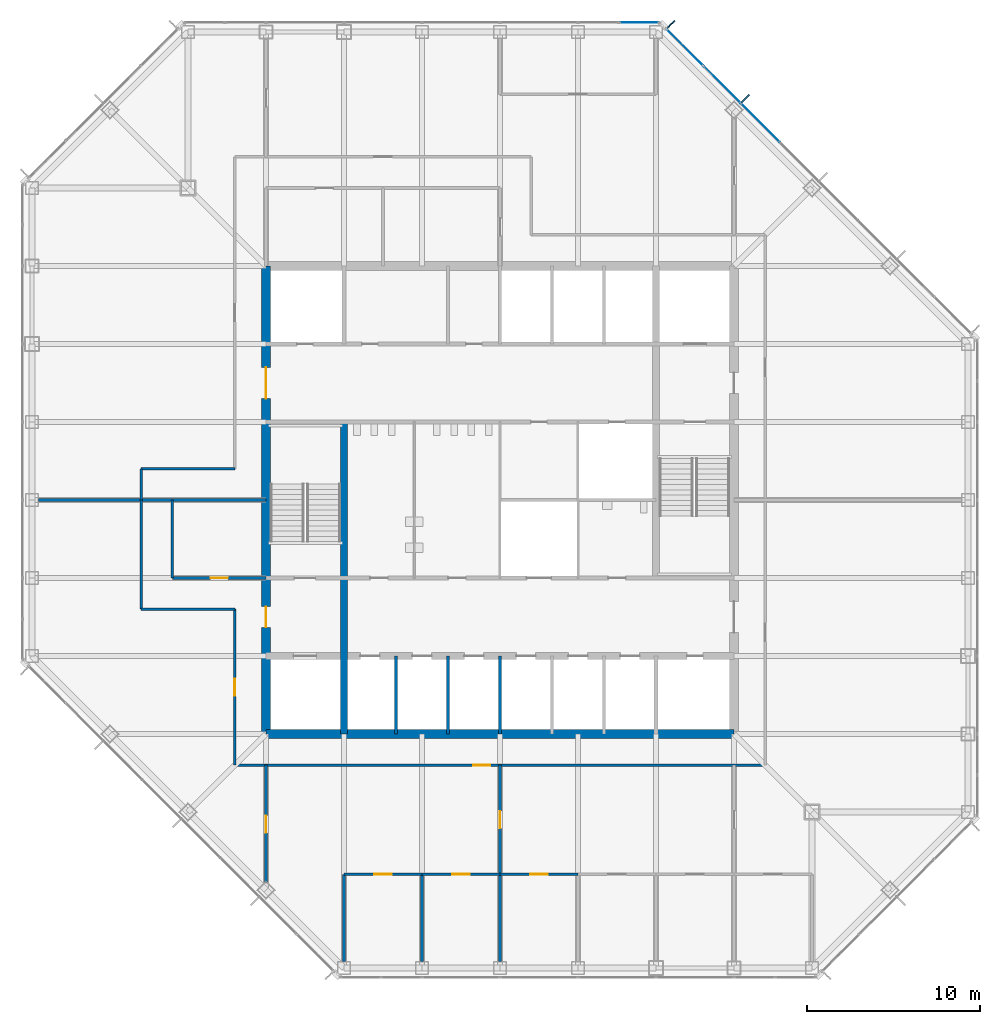
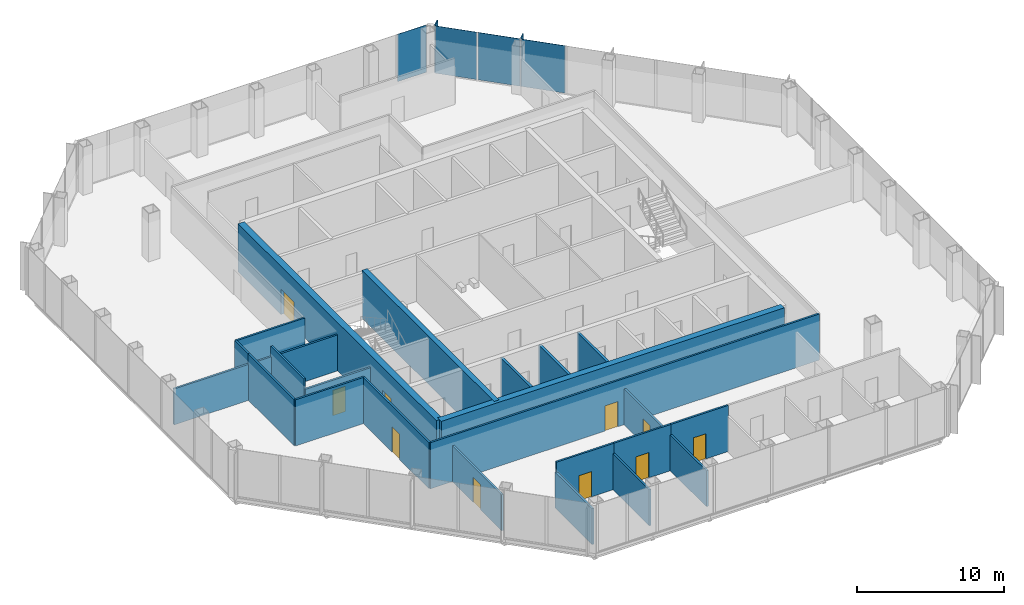
# One storey, part 8 of 12: 23 walls, 10 doors, 6 plates, 10 openings, 2 elements without a shape of their own.
"""IFC4 building model written with IfcOpenShell, lengths in metres."""

from ifc_helpers import new_model, si_unit, direction, frame, frame_2d, origin, origin_2d, place, context, subcontext, project, spatial, rectangle, extrude, material, layer, layer_set, type_object, element, fill, aggregate, save


model = new_model("IFC4")

# Units and contexts
model_context = context("Model", 3, precision=1e-05, world=origin(), true_north=direction((0.0, 1.0)))
body_context = subcontext(model_context, "Body", "Model", "MODEL_VIEW")
ifc_project = project(units=[si_unit("LENGTHUNIT", "METRE"), si_unit("AREAUNIT", "SQUARE_METRE"), si_unit("VOLUMEUNIT", "CUBIC_METRE"), si_unit("PLANEANGLEUNIT", "RADIAN"), si_unit("MASSUNIT", "GRAM", prefix="KILO")], contexts=[model_context])

# Site, building, storey
site_placement = place(None, origin())
site = spatial("IfcSite", under=ifc_project, at=site_placement, CompositionType="ELEMENT")
building_placement = place(site_placement, origin())
building = spatial("IfcBuilding", under=site, at=building_placement, Name="Corais Broadcast Tower", CompositionType="ELEMENT")
storey_placement = place(building_placement, frame((0.0, 0.0, 147.60009765625)))
storey = spatial("IfcBuildingStorey", under=building, at=storey_placement, Name="L33", CompositionType="ELEMENT", Elevation=147.60009765625)

# Curtain wall, plates
ifc_material_1 = material(Name="Aluminium and glass", Category="aluminium")
curtain_wall_type = type_object("IfcCurtainWallType", Name="Unitised fritted curtain wall CW2", PredefinedType="NOTDEFINED", material=ifc_material_1)
curtain_wall_1_placement = place(storey_placement, origin())
curtain_wall_1 = element("IfcCurtainWall", 1, at=curtain_wall_1_placement, inside=storey, type_object=curtain_wall_type, Name="CW2 curtain wall L33 5", PredefinedType="NOTDEFINED")
ifc_material_2 = material(Name="Ceramic-fritted laminated glass", Category="glass")
ifc_layer_1 = layer(ifc_material_2, 0.028076171875)
ifc_layer_set_1 = layer_set([ifc_layer_1], Name="Ceramic-fritted laminated glass")
plate_type_1 = type_object("IfcPlateType", Name="Fritted glass panel CW2", PredefinedType="CURTAIN_PANEL", material=ifc_layer_set_1)
plate_1_placement = place(storey_placement, frame((37.669677734375, 53.108154296875, 0.06494140625), z_axis=(0.0, 0.0, 1.0), x_axis=(0.707106781187, -0.707106781187, 0.0)))
plate_1 = element("IfcPlate", 2, at=plate_1_placement, type_object=plate_type_1, Name="CW2 panel 1", PredefinedType="CURTAIN_PANEL", context=body_context, shape_type="SweptSolid", body=[
    extrude(rectangle(XDim=2.9482421875, YDim=0.028076171875, at=origin_2d()), origin(), (0.0, 0.0, 1.0), 3.93505859375),
])
plate_2_placement = place(storey_placement, frame((42.013916015625, 48.763916015625, 0.06494140625), z_axis=(0.0, 0.0, 1.0), x_axis=(0.707106781187, -0.707106781187, 0.0)))
plate_2 = element("IfcPlate", 3, at=plate_2_placement, type_object=plate_type_1, Name="CW2 panel 3", PredefinedType="CURTAIN_PANEL", context=body_context, shape_type="SweptSolid", body=[
    extrude(rectangle(XDim=3.116943359375, YDim=0.028076171875, at=origin_2d()), origin(), (0.0, 0.0, 1.0), 3.93505859375),
])

# Curtain wall, plate
curtain_wall_2_placement = place(storey_placement, origin())
curtain_wall_2 = element("IfcCurtainWall", 4, at=curtain_wall_2_placement, inside=storey, type_object=curtain_wall_type, Name="CW2 curtain wall L33 4", PredefinedType="NOTDEFINED")
ifc_material_3 = material(Name="Clear laminated glass", Category="glass")
ifc_layer_2 = layer(ifc_material_3, 0.031982421875)
ifc_layer_set_2 = layer_set([ifc_layer_2], Name="Clear laminated glass")
plate_type_2 = type_object("IfcPlateType", Name="Operable glass panel CW2", PredefinedType="CURTAIN_PANEL", material=ifc_layer_set_2)
plate_3_placement = place(storey_placement, frame((35.029541015625, 54.550048828125, 0.06494140625), z_axis=(0.0, 0.0, 1.0), x_axis=(1.0, 0.0, 0.0)))
plate_3 = element("IfcPlate", 5, at=plate_3_placement, type_object=plate_type_2, Name="CW2 operable panel 8", PredefinedType="CURTAIN_PANEL", context=body_context, shape_type="SweptSolid", body=[
    extrude(rectangle(XDim=2.266357421875, YDim=0.031982421875, at=origin_2d()), origin(), (0.0, 0.0, 1.0), 3.93505859375),
])
aggregate(curtain_wall_2, [plate_3])

# Plate
plate_4_placement = place(storey_placement, frame((39.81201171875, 50.9658203125, 0.06494140625), z_axis=(0.0, 0.0, 1.0), x_axis=(0.707106781187, -0.707106781187, 0.0)))
plate_4 = element("IfcPlate", 6, at=plate_4_placement, type_object=plate_type_2, Name="CW2 operable panel 2", PredefinedType="CURTAIN_PANEL", context=body_context, shape_type="SweptSolid", body=[
    extrude(rectangle(XDim=2.98095703125, YDim=0.031982421875, at=origin_2d()), origin(), (0.0, 0.0, 1.0), 3.93505859375),
])

aggregate(curtain_wall_1, [plate_1, plate_4, plate_2])

# Plates
ifc_material_4 = material(Name="Granite stone cladding", Category="masonry")
ifc_layer_3 = layer(ifc_material_4, 0.080078125)
ifc_layer_set_3 = layer_set([ifc_layer_3], Name="Granite stone cladding")
plate_type_3 = type_object("IfcPlateType", Name="Stone screen fin 80x600", PredefinedType="USERDEFINED", material=ifc_layer_set_3)
for number, where, z_axis, x_axis, name in (
    (7, (36.8779296875, 54.447021484375, 0.0), (0.0, 0.0, 1.0), (0.707106781187, -0.707106781187, 0.0), "SF1 stone screen fin L33"),
    (8, (41.16259765625, 50.16259765625, 0.0), (0.0, 0.0, 1.0), (0.707106781187, -0.707106781187, 0.0), "SF1 stone screen fin L33"),
):
    element("IfcPlate", number, at=place(storey_placement, frame(where, z_axis=z_axis, x_axis=x_axis)), inside=storey, type_object=plate_type_3, Name=name, ObjectType="STONE SCREEN FIN", PredefinedType="USERDEFINED", context=body_context, shape_type="SweptSolid", body=[
        extrude(rectangle(XDim=0.080078125, YDim=0.60009765625, at=origin_2d()), origin(), (0.0, 0.0, 1.0), 4.0),
    ])

# Walls
ifc_material_5 = material(Name="Concrete C50/60", Category="concrete")
ifc_layer_4 = layer(ifc_material_5, 0.39990234375)
ifc_layer_set_4 = layer_set([ifc_layer_4], Name="Concrete C50/60")
wall_type_1 = type_object("IfcWallType", Name="Core wall 400", PredefinedType="SHEAR", material=ifc_layer_set_4)
wall_1_placement = place(storey_placement, frame((18.0, 13.5, 0.0), z_axis=(0.0, 0.0, 1.0), x_axis=(0.0, 1.0, 0.0)))
element("IfcWall", 9, at=wall_1_placement, inside=storey, type_object=wall_type_1, Name="CR400 core wall X18A L33", PredefinedType="SHEAR", context=body_context, shape_type="SweptSolid", body=[
    extrude(rectangle(XDim=18.0, YDim=0.39990234375, at=frame_2d((9.0, 0.0))), origin(), (0.0, 0.0, 1.0), 4.0),
])
ifc_material_6 = material(Name="Concrete C50/60", Category="concrete")
ifc_layer_5 = layer(ifc_material_6, 0.5)
ifc_layer_set_5 = layer_set([ifc_layer_5], Name="Concrete C50/60")
wall_type_2 = type_object("IfcWallType", Name="Core wall 500", PredefinedType="SHEAR", material=ifc_layer_set_5)
wall_2_placement = place(storey_placement, frame((13.5, 13.5, 0.0), z_axis=(0.0, 0.0, 1.0), x_axis=(1.0, 0.0, 0.0)))
element("IfcWall", 10, at=wall_2_placement, inside=storey, type_object=wall_type_2, Name="CR500 core wall S L33", PredefinedType="SHEAR", context=body_context, shape_type="SweptSolid", body=[
    extrude(rectangle(XDim=27.0, YDim=0.5, at=frame_2d((13.5, 0.0))), origin(), (0.0, 0.0, 1.0), 4.0),
])

# Wall, openings, doors
wall_3_placement = place(storey_placement, frame((13.5, 40.5, 0.0), z_axis=(0.0, 0.0, 1.0), x_axis=(0.0, -1.0, 0.0)))
wall_3 = element("IfcWall", 11, at=wall_3_placement, inside=storey, type_object=wall_type_2, Name="CR500 core wall W L33", PredefinedType="SHEAR", context=body_context, shape_type="SweptSolid", body=[
    extrude(rectangle(XDim=27.0, YDim=0.5, at=frame_2d((13.5, 0.0))), origin(), (0.0, 0.0, 1.0), 4.0),
])
opening_1_placement = place(wall_3_placement, frame((19.64990234375, 0.0, 0.0)))
opening_1 = element("IfcOpeningElement", 12, at=opening_1_placement, cuts=wall_3, Name="Opening FD1", PredefinedType="OPENING", context=body_context, shape_type="SweptSolid", body=[
    extrude(rectangle(XDim=1.199951171875, YDim=2.10009765625, at=frame_2d((0.60009765625, 1.050048828125))), frame((0.0, 0.260009765625, 0.0), z_axis=(0.0, -1.0, 0.0), x_axis=(1.0, 0.0, 0.0)), (0.0, 0.0, 1.0), 0.52001953125),
])
opening_2_placement = place(wall_3_placement, frame((5.85009765625, 0.0, 0.0)))
opening_2 = element("IfcOpeningElement", 13, at=opening_2_placement, cuts=wall_3, Name="Opening FD2", PredefinedType="OPENING", context=body_context, shape_type="SweptSolid", body=[
    extrude(rectangle(XDim=1.800048828125, YDim=2.10009765625, at=frame_2d((0.89990234375, 1.050048828125))), frame((0.0, 0.260009765625, 0.0), z_axis=(0.0, -1.0, 0.0), x_axis=(1.0, 0.0, 0.0)), (0.0, 0.0, 1.0), 0.52001953125),
])
ifc_material_7 = material(Name="Steel fire door", Category="steel")
door_type_1 = type_object("IfcDoorType", Name="Fire door 1200x2100", OperationType="SINGLE_SWING_LEFT", PredefinedType="DOOR", material=ifc_material_7)
door_1_placement = place(opening_1_placement, origin())
door_1 = element("IfcDoor", 14, at=door_1_placement, inside=storey, type_object=door_type_1, Name="FD1 fire lobby A door L33", OperationType="SINGLE_SWING_RIGHT", OverallHeight=2.10009765625, OverallWidth=1.199951171875, PredefinedType="DOOR", context=body_context, shape_type="SweptSolid", body=[
    extrude(rectangle(XDim=1.199951171875, YDim=2.10009765625, at=frame_2d((0.60009765625, 1.050048828125))), frame((0.0, 0.02490234375, 0.0), z_axis=(0.0, -1.0, 0.0), x_axis=(1.0, 0.0, 0.0)), (0.0, 0.0, 1.0), 0.050048828125),
])
fill(opening_1, door_1)
ifc_material_8 = material(Name="Steel fire door", Category="steel")
door_type_2 = type_object("IfcDoorType", Name="Fire door pair 1800x2100", OperationType="DOUBLE_DOOR_SINGLE_SWING", PredefinedType="DOOR", material=ifc_material_8)
door_2_placement = place(opening_2_placement, origin())
door_2 = element("IfcDoor", 15, at=door_2_placement, inside=storey, type_object=door_type_2, Name="FD2 lift lobby door L33", OperationType="SINGLE_SWING_LEFT", OverallHeight=2.10009765625, OverallWidth=1.800048828125, PredefinedType="DOOR", context=body_context, shape_type="SweptSolid", body=[
    extrude(rectangle(XDim=1.800048828125, YDim=2.10009765625, at=frame_2d((0.89990234375, 1.050048828125))), frame((0.0, 0.02490234375, 0.0), z_axis=(0.0, -1.0, 0.0), x_axis=(1.0, 0.0, 0.0)), (0.0, 0.0, 1.0), 0.050048828125),
])
fill(opening_2, door_2)

# Walls
ifc_material_9 = material(Name="Two layers of fire-rated gypsum board each side on steel studs", Category="steel")
ifc_layer_6 = layer(ifc_material_9, 0.14990234375)
ifc_layer_set_6 = layer_set([ifc_layer_6], Name="Two layers of fire-rated gypsum board each side on steel studs")
wall_type_3 = type_object("IfcWallType", Name="Fire-rated partition 150 EI 60", PredefinedType="PARTITIONING", material=ifc_layer_set_6)
wall_4_placement = place(storey_placement, frame((0.385009765625, 27.0, 0.0), z_axis=(0.0, 0.0, 1.0), x_axis=(1.0, 0.0, 0.0)))
element("IfcWall", 16, at=wall_4_placement, inside=storey, type_object=wall_type_3, Name="IW7 tenancy wall L33", PredefinedType="PARTITIONING", context=body_context, shape_type="SweptSolid", body=[
    extrude(rectangle(XDim=13.114990234375, YDim=0.14990234375, at=frame_2d((6.5576171875, 0.0))), origin(), (0.0, 0.0, 1.0), 2.989013671875),
])
ifc_material_10 = material(Name="Gypsum board on steel studs", Category="steel")
ifc_layer_7 = layer(ifc_material_10, 0.14990234375)
ifc_layer_set_7 = layer_set([ifc_layer_7], Name="Gypsum board on steel studs")
wall_type_4 = type_object("IfcWallType", Name="Partition 150", PredefinedType="PARTITIONING", material=ifc_layer_set_7)
wall_5_placement = place(storey_placement, frame((11.699951171875, 28.800048828125, 0.0), z_axis=(0.0, 0.0, 1.0), x_axis=(-1.0, 0.0, 0.0)))
element("IfcWall", 17, at=wall_5_placement, inside=storey, type_object=wall_type_4, Name="IW3 corridor wall L33", PredefinedType="PARTITIONING", context=body_context, shape_type="SweptSolid", body=[
    extrude(rectangle(XDim=5.39990234375, YDim=0.14990234375, at=frame_2d((2.699951171875, 0.0))), origin(), (0.0, 0.0, 1.0), 3.83984375),
])
wall_6_placement = place(storey_placement, frame((6.300048828125, 28.800048828125, 0.0), z_axis=(0.0, 0.0, 1.0), x_axis=(0.0, -1.0, 0.0)))
element("IfcWall", 18, at=wall_6_placement, inside=storey, type_object=wall_type_4, Name="IW3 corridor wall L33", PredefinedType="PARTITIONING", context=body_context, shape_type="SweptSolid", body=[
    extrude(rectangle(XDim=1.799560546875, YDim=0.14990234375, at=frame_2d((0.89990234375, 0.0))), origin(), (0.0, 0.0, 1.0), 3.83984375),
])

# Wall, opening, door
wall_7_placement = place(storey_placement, frame((11.699951171875, 11.699951171875, 0.0), z_axis=(0.0, 0.0, 1.0), x_axis=(1.0, 0.0, 0.0)))
wall_7 = element("IfcWall", 19, at=wall_7_placement, inside=storey, type_object=wall_type_4, Name="IW3 corridor wall L33", PredefinedType="PARTITIONING", context=body_context, shape_type="SweptSolid", body=[
    extrude(rectangle(XDim=30.60009765625, YDim=0.14990234375, at=frame_2d((15.300048828125, 0.0))), origin(), (0.0, 0.0, 1.0), 3.83984375),
])
opening_3_placement = place(wall_7_placement, frame((13.75, 0.0, 0.0)))
opening_3 = element("IfcOpeningElement", 20, at=opening_3_placement, cuts=wall_7, Name="Opening D1", PredefinedType="OPENING", context=body_context, shape_type="SweptSolid", body=[
    extrude(rectangle(XDim=1.0, YDim=2.10009765625, at=frame_2d((0.5, 1.050048828125))), frame((0.0, 0.0849609375, 0.0), z_axis=(0.0, -1.0, 0.0), x_axis=(1.0, 0.0, 0.0)), (0.0, 0.0, 1.0), 0.169921875),
])
ifc_material_11 = material(Name="Timber door", Category="wood")
door_type_3 = type_object("IfcDoorType", Name="Single door 1000x2100", OperationType="SINGLE_SWING_LEFT", PredefinedType="DOOR", material=ifc_material_11)
door_3_placement = place(opening_3_placement, origin())
door_3 = element("IfcDoor", 21, at=door_3_placement, inside=storey, type_object=door_type_3, Name="D1 workplace door L33", OperationType="SINGLE_SWING_LEFT", OverallHeight=2.10009765625, OverallWidth=1.0, PredefinedType="DOOR", context=body_context, shape_type="SweptSolid", body=[
    extrude(rectangle(XDim=1.0, YDim=2.10009765625, at=frame_2d((0.5, 1.050048828125))), frame((0.0, 0.02490234375, 0.0), z_axis=(0.0, -1.0, 0.0), x_axis=(1.0, 0.0, 0.0)), (0.0, 0.0, 1.0), 0.050048828125),
])
fill(opening_3, door_3)

wall_8_placement = place(storey_placement, frame((11.699951171875, 20.699951171875, 0.0), z_axis=(0.0, 0.0, 1.0), x_axis=(0.0, -1.0, 0.0)))
wall_8 = element("IfcWall", 22, at=wall_8_placement, inside=storey, type_object=wall_type_4, Name="IW3 corridor wall L33", PredefinedType="PARTITIONING", context=body_context, shape_type="SweptSolid", body=[
    extrude(rectangle(XDim=9.0, YDim=0.14990234375, at=frame_2d((4.5, 0.0))), origin(), (0.0, 0.0, 1.0), 3.83984375),
])
opening_4_placement = place(wall_8_placement, frame((4.0, 0.0, 0.0)))
opening_4 = element("IfcOpeningElement", 23, at=opening_4_placement, cuts=wall_8, Name="Opening D1", PredefinedType="OPENING", context=body_context, shape_type="SweptSolid", body=[
    extrude(rectangle(XDim=1.0, YDim=2.10009765625, at=frame_2d((0.5, 1.050048828125))), frame((0.0, 0.0849609375, 0.0), z_axis=(0.0, -1.0, 0.0), x_axis=(1.0, 0.0, 0.0)), (0.0, 0.0, 1.0), 0.169921875),
])
door_4_placement = place(opening_4_placement, origin())
door_4 = element("IfcDoor", 24, at=door_4_placement, inside=storey, type_object=door_type_3, Name="D1 workplace door L33", OperationType="SINGLE_SWING_LEFT", OverallHeight=2.10009765625, OverallWidth=1.0, PredefinedType="DOOR", context=body_context, shape_type="SweptSolid", body=[
    extrude(rectangle(XDim=1.0, YDim=2.10009765625, at=frame_2d((0.5, 1.050048828125))), frame((0.0, 0.02490234375, 0.0), z_axis=(0.0, -1.0, 0.0), x_axis=(1.0, 0.0, 0.0)), (0.0, 0.0, 1.0), 0.050048828125),
])
fill(opening_4, door_4)

# Walls
wall_9_placement = place(storey_placement, frame((6.300048828125, 26.99951171875, 0.0), z_axis=(0.0, 0.0, 1.0), x_axis=(0.0, -1.0, 0.0)))
element("IfcWall", 25, at=wall_9_placement, inside=storey, type_object=wall_type_4, Name="IW3 corridor wall L33", PredefinedType="PARTITIONING", context=body_context, shape_type="SweptSolid", body=[
    extrude(rectangle(XDim=6.299560546875, YDim=0.14990234375, at=frame_2d((3.14990234375, 0.0))), origin(), (0.0, 0.0, 1.0), 3.83984375),
])
wall_10_placement = place(storey_placement, frame((6.300048828125, 20.699951171875, 0.0), z_axis=(0.0, 0.0, 1.0), x_axis=(1.0, 0.0, 0.0)))
element("IfcWall", 26, at=wall_10_placement, inside=storey, type_object=wall_type_4, Name="IW3 corridor wall L33", PredefinedType="PARTITIONING", context=body_context, shape_type="SweptSolid", body=[
    extrude(rectangle(XDim=5.39990234375, YDim=0.14990234375, at=frame_2d((2.699951171875, 0.0))), origin(), (0.0, 0.0, 1.0), 3.83984375),
])
wall_11_placement = place(storey_placement, frame((22.5, 0.385009765625, 0.0), z_axis=(0.0, 0.0, 1.0), x_axis=(0.0, 1.0, 0.0)))
element("IfcWall", 27, at=wall_11_placement, inside=storey, type_object=wall_type_4, Name="IW3 partition L33", PredefinedType="PARTITIONING", context=body_context, shape_type="SweptSolid", body=[
    extrude(rectangle(XDim=5.014892578125, YDim=0.14990234375, at=frame_2d((2.50732421875, 0.0))), origin(), (0.0, 0.0, 1.0), 2.989013671875),
])

# Wall, opening, door
wall_12_placement = place(storey_placement, frame((22.5, 5.39990234375, 0.0), z_axis=(0.0, 0.0, 1.0), x_axis=(-1.0, 0.0, 0.0)))
wall_12 = element("IfcWall", 28, at=wall_12_placement, inside=storey, type_object=wall_type_4, Name="IW3 partition L33", PredefinedType="PARTITIONING", context=body_context, shape_type="SweptSolid", body=[
    extrude(rectangle(XDim=4.5, YDim=0.14990234375, at=frame_2d((2.25, 0.0))), origin(), (0.0, 0.0, 1.0), 3.83984375),
])
opening_5_placement = place(wall_12_placement, frame((1.75, 0.0, 0.0)))
opening_5 = element("IfcOpeningElement", 29, at=opening_5_placement, cuts=wall_12, Name="Opening D1", PredefinedType="OPENING", context=body_context, shape_type="SweptSolid", body=[
    extrude(rectangle(XDim=1.0, YDim=2.10009765625, at=frame_2d((0.5, 1.050048828125))), frame((0.0, 0.0849609375, 0.0), z_axis=(0.0, -1.0, 0.0), x_axis=(1.0, 0.0, 0.0)), (0.0, 0.0, 1.0), 0.169921875),
])
door_5_placement = place(opening_5_placement, origin())
door_5 = element("IfcDoor", 30, at=door_5_placement, inside=storey, type_object=door_type_3, Name="D1 Office door", OperationType="SINGLE_SWING_LEFT", OverallHeight=2.10009765625, OverallWidth=1.0, PredefinedType="DOOR", context=body_context, shape_type="SweptSolid", body=[
    extrude(rectangle(XDim=1.0, YDim=2.10009765625, at=frame_2d((0.5, 1.050048828125))), frame((0.0, 0.02490234375, 0.0), z_axis=(0.0, -1.0, 0.0), x_axis=(1.0, 0.0, 0.0)), (0.0, 0.0, 1.0), 0.050048828125),
])
fill(opening_5, door_5)

# Walls
for number, where, z_axis, x_axis, name in (
    (31, (18.0, 5.39990234375, 0.0), (0.0, 0.0, 1.0), (0.0, -1.0, 0.0), "IW3 partition L33"),
    (32, (27.0, 0.385009765625, 0.0), (0.0, 0.0, 1.0), (0.0, 1.0, 0.0), "IW3 partition L33"),
):
    element("IfcWall", number, at=place(storey_placement, frame(where, z_axis=z_axis, x_axis=x_axis)), inside=storey, type_object=wall_type_4, Name=name, PredefinedType="PARTITIONING", context=body_context, shape_type="SweptSolid", body=[
        extrude(rectangle(XDim=5.014892578125, YDim=0.14990234375, at=frame_2d((2.50732421875, 0.0))), origin(), (0.0, 0.0, 1.0), 2.989013671875),
    ])

# Wall, opening, door
wall_13_placement = place(storey_placement, frame((27.0, 5.39990234375, 0.0), z_axis=(0.0, 0.0, 1.0), x_axis=(-1.0, 0.0, 0.0)))
wall_13 = element("IfcWall", 33, at=wall_13_placement, inside=storey, type_object=wall_type_4, Name="IW3 partition L33", PredefinedType="PARTITIONING", context=body_context, shape_type="SweptSolid", body=[
    extrude(rectangle(XDim=4.5, YDim=0.14990234375, at=frame_2d((2.25, 0.0))), origin(), (0.0, 0.0, 1.0), 3.83984375),
])
opening_6_placement = place(wall_13_placement, frame((1.75, 0.0, 0.0)))
opening_6 = element("IfcOpeningElement", 34, at=opening_6_placement, cuts=wall_13, Name="Opening D1", PredefinedType="OPENING", context=body_context, shape_type="SweptSolid", body=[
    extrude(rectangle(XDim=1.0, YDim=2.10009765625, at=frame_2d((0.5, 1.050048828125))), frame((0.0, 0.0849609375, 0.0), z_axis=(0.0, -1.0, 0.0), x_axis=(1.0, 0.0, 0.0)), (0.0, 0.0, 1.0), 0.169921875),
])
door_6_placement = place(opening_6_placement, origin())
door_6 = element("IfcDoor", 35, at=door_6_placement, inside=storey, type_object=door_type_3, Name="D1 Office door", OperationType="SINGLE_SWING_LEFT", OverallHeight=2.10009765625, OverallWidth=1.0, PredefinedType="DOOR", context=body_context, shape_type="SweptSolid", body=[
    extrude(rectangle(XDim=1.0, YDim=2.10009765625, at=frame_2d((0.5, 1.050048828125))), frame((0.0, 0.02490234375, 0.0), z_axis=(0.0, -1.0, 0.0), x_axis=(1.0, 0.0, 0.0)), (0.0, 0.0, 1.0), 0.050048828125),
])
fill(opening_6, door_6)

wall_14_placement = place(storey_placement, frame((31.5, 5.39990234375, 0.0), z_axis=(0.0, 0.0, 1.0), x_axis=(-1.0, 0.0, 0.0)))
wall_14 = element("IfcWall", 36, at=wall_14_placement, inside=storey, type_object=wall_type_4, Name="IW3 partition L33", PredefinedType="PARTITIONING", context=body_context, shape_type="SweptSolid", body=[
    extrude(rectangle(XDim=4.5, YDim=0.14990234375, at=frame_2d((2.25, 0.0))), origin(), (0.0, 0.0, 1.0), 3.83984375),
])
opening_7_placement = place(wall_14_placement, frame((1.75, 0.0, 0.0)))
opening_7 = element("IfcOpeningElement", 37, at=opening_7_placement, cuts=wall_14, Name="Opening D1", PredefinedType="OPENING", context=body_context, shape_type="SweptSolid", body=[
    extrude(rectangle(XDim=1.0, YDim=2.10009765625, at=frame_2d((0.5, 1.050048828125))), frame((0.0, 0.0849609375, 0.0), z_axis=(0.0, -1.0, 0.0), x_axis=(1.0, 0.0, 0.0)), (0.0, 0.0, 1.0), 0.169921875),
])
door_7_placement = place(opening_7_placement, origin())
door_7 = element("IfcDoor", 38, at=door_7_placement, inside=storey, type_object=door_type_3, Name="D1 Office door", OperationType="SINGLE_SWING_LEFT", OverallHeight=2.10009765625, OverallWidth=1.0, PredefinedType="DOOR", context=body_context, shape_type="SweptSolid", body=[
    extrude(rectangle(XDim=1.0, YDim=2.10009765625, at=frame_2d((0.5, 1.050048828125))), frame((0.0, 0.02490234375, 0.0), z_axis=(0.0, -1.0, 0.0), x_axis=(1.0, 0.0, 0.0)), (0.0, 0.0, 1.0), 0.050048828125),
])
fill(opening_7, door_7)

wall_15_placement = place(storey_placement, frame((8.10009765625, 22.5, 0.0), z_axis=(0.0, 0.0, 1.0), x_axis=(1.0, 0.0, 0.0)))
wall_15 = element("IfcWall", 39, at=wall_15_placement, inside=storey, type_object=wall_type_4, Name="IW3 partition L33", PredefinedType="PARTITIONING", context=body_context, shape_type="SweptSolid", body=[
    extrude(rectangle(XDim=5.39990234375, YDim=0.14990234375, at=frame_2d((2.699951171875, 0.0))), origin(), (0.0, 0.0, 1.0), 2.989013671875),
])
opening_8_placement = place(wall_15_placement, frame((2.199951171875, 0.0, 0.0)))
opening_8 = element("IfcOpeningElement", 40, at=opening_8_placement, cuts=wall_15, Name="Opening D1", PredefinedType="OPENING", context=body_context, shape_type="SweptSolid", body=[
    extrude(rectangle(XDim=1.0, YDim=2.10009765625, at=frame_2d((0.5, 1.050048828125))), frame((0.0, 0.0849609375, 0.0), z_axis=(0.0, -1.0, 0.0), x_axis=(1.0, 0.0, 0.0)), (0.0, 0.0, 1.0), 0.169921875),
])
door_8_placement = place(opening_8_placement, origin())
door_8 = element("IfcDoor", 41, at=door_8_placement, inside=storey, type_object=door_type_3, Name="D1 Meeting room door", OperationType="SINGLE_SWING_LEFT", OverallHeight=2.10009765625, OverallWidth=1.0, PredefinedType="DOOR", context=body_context, shape_type="SweptSolid", body=[
    extrude(rectangle(XDim=1.0, YDim=2.10009765625, at=frame_2d((0.5, 1.050048828125))), frame((0.0, 0.02490234375, 0.0), z_axis=(0.0, -1.0, 0.0), x_axis=(1.0, 0.0, 0.0)), (0.0, 0.0, 1.0), 0.050048828125),
])
fill(opening_8, door_8)

# Wall
wall_16_placement = place(storey_placement, frame((8.10009765625, 27.0, 0.0), z_axis=(0.0, 0.0, 1.0), x_axis=(0.0, -1.0, 0.0)))
element("IfcWall", 42, at=wall_16_placement, inside=storey, type_object=wall_type_4, Name="IW3 partition L33", PredefinedType="PARTITIONING", context=body_context, shape_type="SweptSolid", body=[
    extrude(rectangle(XDim=4.5, YDim=0.14990234375, at=frame_2d((2.25, 0.0))), origin(), (0.0, 0.0, 1.0), 3.83984375),
])

# Wall, opening, door
wall_17_placement = place(storey_placement, frame((13.5, 4.89501953125, 0.0), z_axis=(0.0, 0.0, 1.0), x_axis=(0.0, 1.0, 0.0)))
wall_17 = element("IfcWall", 43, at=wall_17_placement, inside=storey, type_object=wall_type_4, Name="IW3 partition L33", PredefinedType="PARTITIONING", context=body_context, shape_type="SweptSolid", body=[
    extrude(rectangle(XDim=6.804931640625, YDim=0.14990234375, at=frame_2d((3.40234375, 0.0))), origin(), (0.0, 0.0, 1.0), 2.989013671875),
])
opening_9_placement = place(wall_17_placement, frame((2.902587890625, 0.0, 0.0)))
opening_9 = element("IfcOpeningElement", 44, at=opening_9_placement, cuts=wall_17, Name="Opening D1", PredefinedType="OPENING", context=body_context, shape_type="SweptSolid", body=[
    extrude(rectangle(XDim=1.0, YDim=2.10009765625, at=frame_2d((0.5, 1.050048828125))), frame((0.0, 0.0849609375, 0.0), z_axis=(0.0, -1.0, 0.0), x_axis=(1.0, 0.0, 0.0)), (0.0, 0.0, 1.0), 0.169921875),
])
door_9_placement = place(opening_9_placement, origin())
door_9 = element("IfcDoor", 45, at=door_9_placement, inside=storey, type_object=door_type_3, Name="D1 team room door L33", OperationType="SINGLE_SWING_LEFT", OverallHeight=2.10009765625, OverallWidth=1.0, PredefinedType="DOOR", context=body_context, shape_type="SweptSolid", body=[
    extrude(rectangle(XDim=1.0, YDim=2.10009765625, at=frame_2d((0.5, 1.050048828125))), frame((0.0, 0.02490234375, 0.0), z_axis=(0.0, -1.0, 0.0), x_axis=(1.0, 0.0, 0.0)), (0.0, 0.0, 1.0), 0.050048828125),
])
fill(opening_9, door_9)

wall_18_placement = place(storey_placement, frame((27.0, 11.699951171875, 0.0), z_axis=(0.0, 0.0, 1.0), x_axis=(0.0, -1.0, 0.0)))
wall_18 = element("IfcWall", 46, at=wall_18_placement, inside=storey, type_object=wall_type_4, Name="IW3 partition L33", PredefinedType="PARTITIONING", context=body_context, shape_type="SweptSolid", body=[
    extrude(rectangle(XDim=6.300048828125, YDim=0.14990234375, at=frame_2d((3.14990234375, 0.0))), origin(), (0.0, 0.0, 1.0), 2.989013671875),
])
opening_10_placement = place(wall_18_placement, frame((2.64990234375, 0.0, 0.0)))
opening_10 = element("IfcOpeningElement", 47, at=opening_10_placement, cuts=wall_18, Name="Opening D1", PredefinedType="OPENING", context=body_context, shape_type="SweptSolid", body=[
    extrude(rectangle(XDim=1.0, YDim=2.10009765625, at=frame_2d((0.5, 1.050048828125))), frame((0.0, 0.0849609375, 0.0), z_axis=(0.0, -1.0, 0.0), x_axis=(1.0, 0.0, 0.0)), (0.0, 0.0, 1.0), 0.169921875),
])
door_10_placement = place(opening_10_placement, origin())
door_10 = element("IfcDoor", 48, at=door_10_placement, inside=storey, type_object=door_type_3, Name="D1 team room door L33", OperationType="SINGLE_SWING_LEFT", OverallHeight=2.10009765625, OverallWidth=1.0, PredefinedType="DOOR", context=body_context, shape_type="SweptSolid", body=[
    extrude(rectangle(XDim=1.0, YDim=2.10009765625, at=frame_2d((0.5, 1.050048828125))), frame((0.0, 0.02490234375, 0.0), z_axis=(0.0, -1.0, 0.0), x_axis=(1.0, 0.0, 0.0)), (0.0, 0.0, 1.0), 0.050048828125),
])
fill(opening_10, door_10)

# Walls
ifc_material_12 = material(Name="Concrete blockwork class A, grouted, two-hour", Category="masonry")
ifc_layer_8 = layer(ifc_material_12, 0.199951171875)
ifc_layer_set_8 = layer_set([ifc_layer_8], Name="Concrete blockwork class A, grouted, two-hour")
wall_type_5 = type_object("IfcWallType", Name="Shaft wall 200", PredefinedType="PARTITIONING", material=ifc_layer_set_8)
for number, where, z_axis, x_axis, name in (
    (49, (21.0, 13.5, 0.0), (0.0, 0.0, 1.0), (0.0, 1.0, 0.0), "IW1 shaft wall L33"),
    (50, (24.0, 13.5, 0.0), (0.0, 0.0, 1.0), (0.0, 1.0, 0.0), "IW1 shaft wall L33"),
    (51, (27.0, 13.5, 0.0), (0.0, 0.0, 1.0), (0.0, 1.0, 0.0), "IW1 shaft wall L33"),
):
    element("IfcWall", number, at=place(storey_placement, frame(where, z_axis=z_axis, x_axis=x_axis)), inside=storey, type_object=wall_type_5, Name=name, PredefinedType="PARTITIONING", context=body_context, shape_type="SweptSolid", body=[
        extrude(rectangle(XDim=4.5, YDim=0.199951171875, at=frame_2d((2.25, 0.0))), origin(), (0.0, 0.0, 1.0), 3.83984375),
    ])

save(model, "model.ifc")
